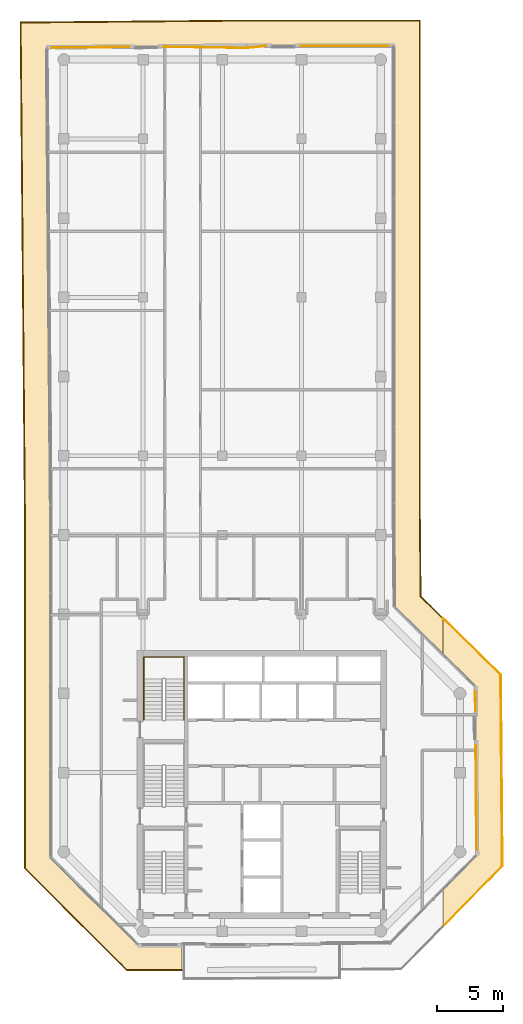
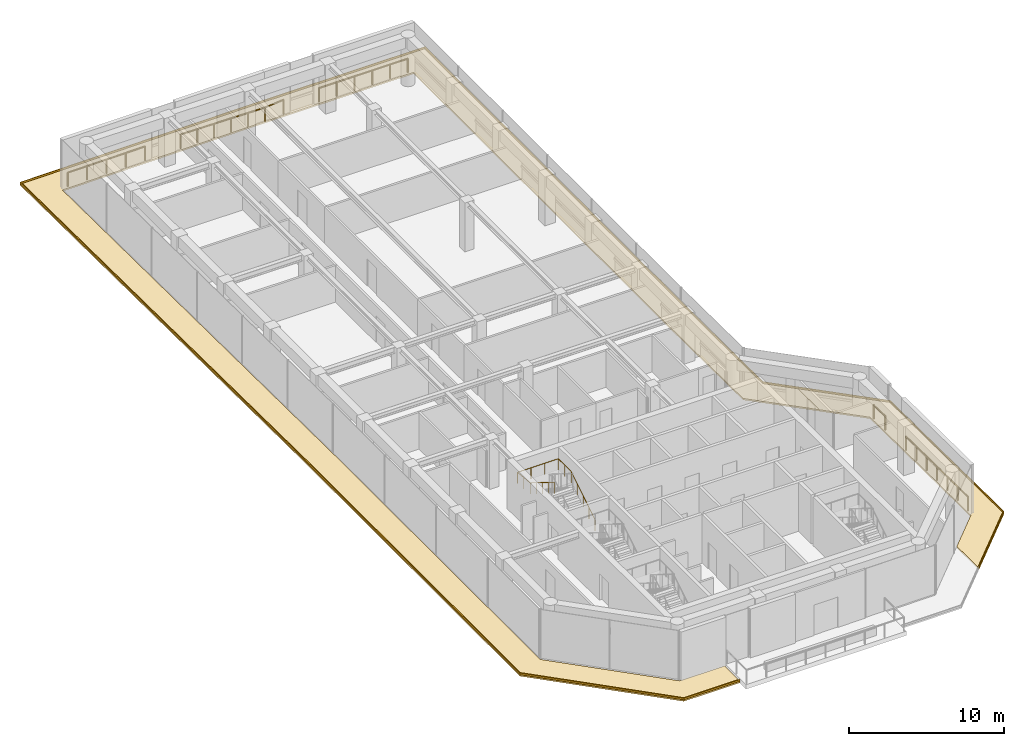
# One storey, part 19 of 19: 6 railings, 4 coverings.
"""IFC4 building model written with IfcOpenShell, lengths in metres."""

from ifc_helpers import new_model, si_unit, direction, frame, origin, origin_2d, place, context, subcontext, project, spatial, polyline, circle, outline, extrude, material, layer, layer_set, type_object, element, save


model = new_model("IFC4")

# Units and contexts
model_context = context("Model", 3, precision=1e-05, world=origin(), true_north=direction((0.0, 1.0)))
body_context = subcontext(model_context, "Body", "Model", "MODEL_VIEW")
ifc_project = project(units=[si_unit("LENGTHUNIT", "METRE"), si_unit("AREAUNIT", "SQUARE_METRE"), si_unit("VOLUMEUNIT", "CUBIC_METRE"), si_unit("PLANEANGLEUNIT", "RADIAN"), si_unit("MASSUNIT", "GRAM", prefix="KILO")], contexts=[model_context])

# Site, building, storey
site_placement = place(None, origin())
site = spatial("IfcSite", under=ifc_project, at=site_placement, CompositionType="ELEMENT")
building_placement = place(site_placement, origin())
building = spatial("IfcBuilding", under=site, at=building_placement, Name="Welwitschia Terrace Campus", CompositionType="ELEMENT")
storey_placement = place(building_placement, frame((0.0, 0.0, 226.39990234375)))
storey = spatial("IfcBuildingStorey", under=building, at=storey_placement, Name="L50", CompositionType="ELEMENT", Elevation=226.39990234375)

# Railings
ifc_material_1 = material(Name="Stainless steel grade 316", Category="steel")
railing_type_1 = type_object("IfcRailingType", Name="Guard 1100", PredefinedType="GUARDRAIL", material=ifc_material_1)
railing_1_placement = place(storey_placement, frame((-0.881591796875, 70.901611328125, 0.0)))
element("IfcRailing", 1, at=railing_1_placement, inside=storey, type_object=railing_type_1, Name="Guard floor edge L50.0", PredefinedType="GUARDRAIL", context=body_context, shape_type="SweptSolid", body=[
    extrude(circle(Radius=0.02392578125, at=origin_2d()), frame((0.0, 0.0, 1.076171875), z_axis=(0.999961713126, 0.008750558977, 0.0), x_axis=(-0.008750558977, 0.999961713126, 0.0)), (0.0, 0.0, 1.0), 5.80322265625),
    extrude(circle(Radius=0.02099609375, at=origin_2d()), origin(), (0.0, 0.0, 1.0), 1.052001953125),
    extrude(circle(Radius=0.02099609375, at=origin_2d()), frame((1.45068359375, 0.0126953125, 0.0)), (0.0, 0.0, 1.0), 1.052001953125),
    extrude(circle(Radius=0.02099609375, at=origin_2d()), frame((2.9013671875, 0.025390625, 0.0)), (0.0, 0.0, 1.0), 1.052001953125),
    extrude(circle(Radius=0.02099609375, at=origin_2d()), frame((4.352294921875, 0.0380859375, 0.0)), (0.0, 0.0, 1.0), 1.052001953125),
    extrude(circle(Radius=0.02099609375, at=origin_2d()), frame((5.802978515625, 0.05078125, 0.0)), (0.0, 0.0, 1.0), 1.052001953125),
])
railing_2_placement = place(storey_placement, frame((7.568603515625, 70.975341796875, 0.0)))
element("IfcRailing", 2, at=railing_2_placement, inside=storey, type_object=railing_type_1, Name="Guard floor edge L50.2", PredefinedType="GUARDRAIL", context=body_context, shape_type="SweptSolid", body=[
    extrude(circle(Radius=0.02392578125, at=origin_2d()), frame((0.0, 0.0, 1.076171875), z_axis=(0.999883527068, -0.015262119733, 0.0), x_axis=(0.015262119733, 0.999883527068, 0.0)), (0.0, 0.0, 1.0), 6.254638671875),
    extrude(circle(Radius=0.02392578125, at=origin_2d()), frame((6.25390625, -0.095458984375, 1.076171875), z_axis=(0.994878086331, 0.101082111861, 0.0), x_axis=(-0.101082111861, 0.994878086331, 0.0)), (0.0, 0.0, 1.0), 1.4853515625),
    extrude(circle(Radius=0.02099609375, at=origin_2d()), origin(), (0.0, 0.0, 1.0), 1.052001953125),
    extrude(circle(Radius=0.02099609375, at=origin_2d()), frame((1.250732421875, -0.01904296875, 0.0)), (0.0, 0.0, 1.0), 1.052001953125),
    extrude(circle(Radius=0.02099609375, at=origin_2d()), frame((2.50146484375, -0.0380859375, 0.0)), (0.0, 0.0, 1.0), 1.052001953125),
    extrude(circle(Radius=0.02099609375, at=origin_2d()), frame((3.75244140625, -0.057373046875, 0.0)), (0.0, 0.0, 1.0), 1.052001953125),
    extrude(circle(Radius=0.02099609375, at=origin_2d()), frame((5.003173828125, -0.076416015625, 0.0)), (0.0, 0.0, 1.0), 1.052001953125),
    extrude(circle(Radius=0.02099609375, at=origin_2d()), frame((6.25390625, -0.095458984375, 0.0)), (0.0, 0.0, 1.0), 1.052001953125),
    extrude(circle(Radius=0.02099609375, at=origin_2d()), frame((7.731689453125, 0.0546875, 0.0)), (0.0, 0.0, 1.0), 1.052001953125),
])
railing_3_placement = place(storey_placement, frame((17.947509765625, 71.030029296875, 0.0)))
element("IfcRailing", 3, at=railing_3_placement, inside=storey, type_object=railing_type_1, Name="Guard floor edge L50.4", PredefinedType="GUARDRAIL", context=body_context, shape_type="SweptSolid", body=[
    extrude(circle(Radius=0.02392578125, at=origin_2d()), frame((0.0, 0.0, 1.076171875), z_axis=(1.0, 0.0, 0.0), x_axis=(0.0, 1.0, 0.0)), (0.0, 0.0, 1.0), 6.632568359375),
    extrude(circle(Radius=0.02099609375, at=origin_2d()), origin(), (0.0, 0.0, 1.0), 1.052001953125),
    extrude(circle(Radius=0.02099609375, at=origin_2d()), frame((1.326416015625, 0.0, 0.0)), (0.0, 0.0, 1.0), 1.052001953125),
    extrude(circle(Radius=0.02099609375, at=origin_2d()), frame((2.653076171875, 0.0, 0.0)), (0.0, 0.0, 1.0), 1.052001953125),
    extrude(circle(Radius=0.02099609375, at=origin_2d()), frame((3.9794921875, 0.0, 0.0)), (0.0, 0.0, 1.0), 1.052001953125),
    extrude(circle(Radius=0.02099609375, at=origin_2d()), frame((5.30615234375, 0.0, 0.0)), (0.0, 0.0, 1.0), 1.052001953125),
    extrude(circle(Radius=0.02099609375, at=origin_2d()), frame((6.632568359375, 0.0, 0.0)), (0.0, 0.0, 1.0), 1.052001953125),
])
railing_4_placement = place(storey_placement, frame((31.15478515625, 22.15234375, 0.0)))
element("IfcRailing", 4, at=railing_4_placement, inside=storey, type_object=railing_type_1, Name="Guard floor edge L50.5", PredefinedType="GUARDRAIL", context=body_context, shape_type="SweptSolid", body=[
    extrude(circle(Radius=0.02392578125, at=origin_2d()), frame((0.0, 0.0, 1.076171875), z_axis=(0.008827104453, -0.999961040355, 0.0), x_axis=(0.999961040355, 0.008827104453, 0.0)), (0.0, 0.0, 1.0), 1.4658203125),
    extrude(circle(Radius=0.02099609375, at=origin_2d()), origin(), (0.0, 0.0, 1.0), 1.052001953125),
    extrude(circle(Radius=0.02099609375, at=origin_2d()), frame((0.012939453125, -1.4658203125, 0.0)), (0.0, 0.0, 1.0), 1.052001953125),
])
railing_5_placement = place(storey_placement, frame((31.19091796875, 18.039306640625, 0.0)))
element("IfcRailing", 5, at=railing_5_placement, inside=storey, type_object=railing_type_1, Name="Guard floor edge L50.6", PredefinedType="GUARDRAIL", context=body_context, shape_type="SweptSolid", body=[
    extrude(circle(Radius=0.02392578125, at=origin_2d()), frame((0.0, 0.0, 1.076171875), z_axis=(0.008723026292, -0.999961953682, 0.0), x_axis=(0.999961953682, 0.008723026292, 0.0)), (0.0, 0.0, 1.0), 7.892578125),
    extrude(circle(Radius=0.02099609375, at=origin_2d()), origin(), (0.0, 0.0, 1.0), 1.052001953125),
    extrude(circle(Radius=0.02099609375, at=origin_2d()), frame((0.011474609375, -1.3154296875, 0.0)), (0.0, 0.0, 1.0), 1.052001953125),
    extrude(circle(Radius=0.02099609375, at=origin_2d()), frame((0.02294921875, -2.630859375, 0.0)), (0.0, 0.0, 1.0), 1.052001953125),
    extrude(circle(Radius=0.02099609375, at=origin_2d()), frame((0.034423828125, -3.9462890625, 0.0)), (0.0, 0.0, 1.0), 1.052001953125),
    extrude(circle(Radius=0.02099609375, at=origin_2d()), frame((0.0458984375, -5.261474609375, 0.0)), (0.0, 0.0, 1.0), 1.052001953125),
    extrude(circle(Radius=0.02099609375, at=origin_2d()), frame((0.057373046875, -6.576904296875, 0.0)), (0.0, 0.0, 1.0), 1.052001953125),
    extrude(circle(Radius=0.02099609375, at=origin_2d()), frame((0.06884765625, -7.892333984375, 0.0)), (0.0, 0.0, 1.0), 1.052001953125),
])
ifc_material_2 = material(Name="Steel S355", Category="steel")
railing_type_2 = type_object("IfcRailingType", Name="Stair handrail 900", PredefinedType="HANDRAIL", material=ifc_material_2)
railing_6_placement = place(storey_placement, frame((9.10009765625, 20.0, 0.175048828125)))
element("IfcRailing", 6, at=railing_6_placement, inside=storey, type_object=railing_type_2, Name="L50 S4 stair handrail", PredefinedType="HANDRAIL", context=body_context, shape_type="SweptSolid", body=[
    extrude(circle(Radius=0.02392578125, at=origin_2d()), frame((0.0, 0.0, 0.8759765625), z_axis=(0.0, 0.847998304005, 0.529998940003), x_axis=(-1.0, 0.0, 0.0)), (0.0, 0.0, 1.0), 3.632080078125),
    extrude(circle(Radius=0.02392578125, at=origin_2d()), frame((0.0, 3.080078125, 2.80078125), z_axis=(0.0, 1.0, 0.0), x_axis=(-1.0, 0.0, 0.0)), (0.0, 0.0, 1.0), 1.669921875),
    extrude(circle(Radius=0.02392578125, at=origin_2d()), frame((0.0, 4.75, 2.80078125), z_axis=(-1.0, 0.0, 0.0), x_axis=(0.0, -1.0, 0.0)), (0.0, 0.0, 1.0), 3.050048828125),
    extrude(circle(Radius=0.02392578125, at=origin_2d()), frame((-3.050048828125, 4.75, 2.80078125), z_axis=(0.0, -0.99455077262, 0.104253348533), x_axis=(1.0, 0.0, 0.0)), (0.0, 0.0, 1.0), 1.678955078125),
    extrude(circle(Radius=0.02392578125, at=origin_2d()), frame((-3.050048828125, 3.080078125, 2.97607421875), z_axis=(0.0, -0.847998304005, 0.529998940003), x_axis=(1.0, 0.0, 0.0)), (0.0, 0.0, 1.0), 3.632080078125),
    extrude(circle(Radius=0.02099609375, at=origin_2d()), origin(), (0.0, 0.0, 1.0), 0.851806640625),
    extrude(circle(Radius=0.02099609375, at=origin_2d()), frame((0.0, 0.77001953125, 0.481201171875)), (0.0, 0.0, 1.0), 0.851806640625),
    extrude(circle(Radius=0.02099609375, at=origin_2d()), frame((0.0, 1.5400390625, 0.96240234375)), (0.0, 0.0, 1.0), 0.851806640625),
    extrude(circle(Radius=0.02099609375, at=origin_2d()), frame((0.0, 2.31005859375, 1.44384765625)), (0.0, 0.0, 1.0), 0.851806640625),
    extrude(circle(Radius=0.02099609375, at=origin_2d()), frame((0.0, 3.080078125, 1.925048828125)), (0.0, 0.0, 1.0), 0.851806640625),
    extrude(circle(Radius=0.02099609375, at=origin_2d()), frame((0.0, 3.9150390625, 1.925048828125)), (0.0, 0.0, 1.0), 0.851806640625),
    extrude(circle(Radius=0.02099609375, at=origin_2d()), frame((0.0, 4.75, 1.925048828125)), (0.0, 0.0, 1.0), 0.851806640625),
    extrude(circle(Radius=0.02099609375, at=origin_2d()), frame((-1.0166015625, 4.75, 1.925048828125)), (0.0, 0.0, 1.0), 0.851806640625),
    extrude(circle(Radius=0.02099609375, at=origin_2d()), frame((-2.033447265625, 4.75, 1.925048828125)), (0.0, 0.0, 1.0), 0.851806640625),
    extrude(circle(Radius=0.02099609375, at=origin_2d()), frame((-3.050048828125, 4.75, 1.925048828125)), (0.0, 0.0, 1.0), 0.851806640625),
    extrude(circle(Radius=0.02099609375, at=origin_2d()), frame((-3.050048828125, 3.9150390625, 2.0126953125)), (0.0, 0.0, 1.0), 0.851806640625),
    extrude(circle(Radius=0.02099609375, at=origin_2d()), frame((-3.050048828125, 3.080078125, 2.10009765625)), (0.0, 0.0, 1.0), 0.851806640625),
    extrude(circle(Radius=0.02099609375, at=origin_2d()), frame((-3.050048828125, 2.31005859375, 2.581298828125)), (0.0, 0.0, 1.0), 0.851806640625),
    extrude(circle(Radius=0.02099609375, at=origin_2d()), frame((-3.050048828125, 1.5400390625, 3.0625)), (0.0, 0.0, 1.0), 0.851806640625),
    extrude(circle(Radius=0.02099609375, at=origin_2d()), frame((-3.050048828125, 0.77001953125, 3.5439453125)), (0.0, 0.0, 1.0), 0.851806640625),
    extrude(circle(Radius=0.02099609375, at=origin_2d()), frame((-3.050048828125, 0.0, 4.025146484375)), (0.0, 0.0, 1.0), 0.851806640625),
])

# Coverings
ifc_material_3 = material(Name="Bronze anodised aluminium", Category="aluminium")
ifc_layer_1 = layer(ifc_material_3, 0.1201171875)
ifc_layer_set_1 = layer_set([ifc_layer_1], Name="Bronze anodised aluminium")
covering_type_1 = type_object("IfcCoveringType", Name="Sunshade band 2000", PredefinedType="USERDEFINED", material=ifc_layer_set_1)
covering_1_placement = place(storey_placement, frame((0.0, 0.0, -0.25)))
element("IfcCovering", 7, at=covering_1_placement, inside=storey, type_object=covering_type_1, Name="SUNSHADE L50.SW0", ObjectType="SUNSHADE", PredefinedType="USERDEFINED", context=body_context, shape_type="SweptSolid", body=[
    extrude(outline(polyline([(27.0, 36.44482421875), (27.06201171875, 29.356689453125), (28.698486328125, 27.748291015625), (28.698486328125, 24.944091796875), (25.069091796875, 28.5107421875), (25.0, 36.436279296875), (25.0, 71.0), (13.822021484375, 71.0), (-1.301513671875, 70.867919921875), (-1.0, 36.32275390625), (-1.0, 9.585693359375), (5.585693359375, 3.0), (8.949951171875, 3.0), (8.949951171875, 1.0), (4.75732421875, 1.0), (-3.0, 8.75732421875), (-3.0, 36.31396484375), (-3.31884765625, 72.8505859375), (13.813232421875, 73.0), (27.0, 73.0), (27.0, 36.44482421875)])), origin(), (0.0, 0.0, 1.0), 0.1201171875),
])
covering_2_placement = place(storey_placement, frame((0.0, 0.0, -0.25)))
element("IfcCovering", 8, at=covering_2_placement, inside=storey, type_object=covering_type_1, Name="SUNSHADE L50.SE0", ObjectType="SUNSHADE", PredefinedType="USERDEFINED", context=body_context, shape_type="SweptSolid", body=[
    extrude(outline(polyline([(33.114013671875, 23.4091796875), (33.240478515625, 8.924560546875), (28.698486328125, 4.302490234375), (28.698486328125, 7.156005859375), (31.233154296875, 9.7353515625), (31.121337890625, 22.563232421875), (28.698486328125, 24.944091796875), (28.698486328125, 27.748291015625), (33.114013671875, 23.4091796875)])), origin(), (0.0, 0.0, 1.0), 0.1201171875),
])
ifc_material_4 = material(Name="Bronze anodised aluminium", Category="aluminium")
ifc_layer_2 = layer(ifc_material_4, 0.06005859375)
ifc_layer_set_2 = layer_set([ifc_layer_2], Name="Bronze anodised aluminium")
covering_type_2 = type_object("IfcCoveringType", Name="Sunshade lip 60", PredefinedType="USERDEFINED", material=ifc_layer_set_2)
covering_3_placement = place(storey_placement, frame((0.0, 0.0, -0.1298828125)))
element("IfcCovering", 9, at=covering_3_placement, inside=storey, type_object=covering_type_2, Name="SUNSHADE LIP L50.SW0.0", ObjectType="SUNSHADE", PredefinedType="USERDEFINED", context=body_context, shape_type="SweptSolid", body=[
    extrude(outline(polyline([(27.06201171875, 29.356689453125), (28.698486328125, 27.748291015625), (28.698486328125, 27.6640625), (27.002197265625, 29.331298828125), (26.93994140625, 36.444580078125), (26.93994140625, 72.93994140625), (13.8134765625, 72.93994140625), (-3.25830078125, 72.791015625), (-2.93994140625, 36.314208984375), (-2.93994140625, 8.7822265625), (4.7822265625, 1.06005859375), (8.949951171875, 1.06005859375), (8.949951171875, 1.0), (4.75732421875, 1.0), (-3.0, 8.75732421875), (-3.0, 36.31396484375), (-3.31884765625, 72.8505859375), (13.813232421875, 73.0), (27.0, 73.0), (27.0, 36.44482421875), (27.06201171875, 29.356689453125)])), origin(), (0.0, 0.0, 1.0), 0.1298828125),
])
covering_4_placement = place(storey_placement, frame((0.0, 0.0, -0.1298828125)))
element("IfcCovering", 10, at=covering_4_placement, inside=storey, type_object=covering_type_2, Name="SUNSHADE LIP L50.SE0.0", ObjectType="SUNSHADE", PredefinedType="USERDEFINED", context=body_context, shape_type="SweptSolid", body=[
    extrude(outline(polyline([(33.240478515625, 8.924560546875), (28.698486328125, 4.302490234375), (28.698486328125, 4.38818359375), (33.18017578125, 8.94873046875), (33.05419921875, 23.3837890625), (28.698486328125, 27.6640625), (28.698486328125, 27.748291015625), (33.114013671875, 23.4091796875), (33.240478515625, 8.924560546875)])), origin(), (0.0, 0.0, 1.0), 0.1298828125),
])

save(model, "model.ifc")
